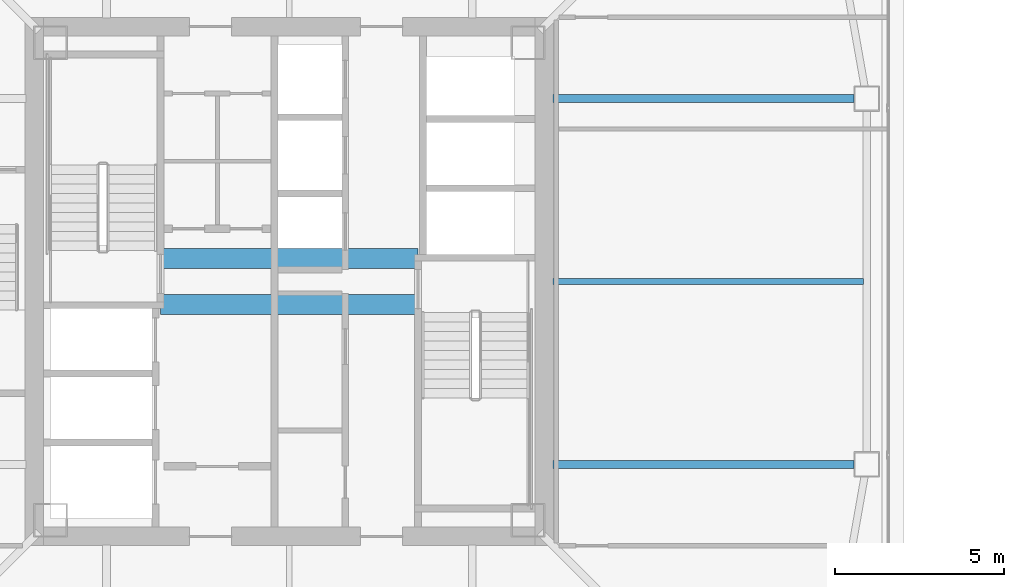
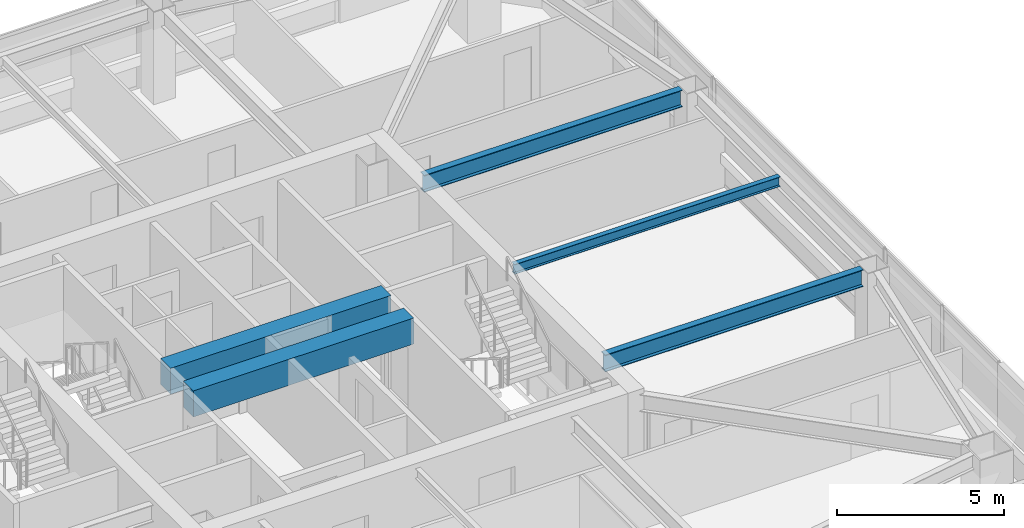
# One storey, part 9 of 43: 5 beams.
"""IFC4 building model written with IfcOpenShell, lengths in metres."""

from ifc_helpers import new_model, si_unit, direction, frame, origin, origin_2d, place, context, subcontext, project, spatial, rectangle, i_section, extrude, material, material_profile, profile_set, type_object, element, save


model = new_model("IFC4")

# Units and contexts
model_context = context("Model", 3, precision=1e-05, world=origin(), true_north=direction((0.0, 1.0)))
body_context = subcontext(model_context, "Body", "Model", "MODEL_VIEW")
ifc_project = project(units=[si_unit("LENGTHUNIT", "METRE"), si_unit("AREAUNIT", "SQUARE_METRE"), si_unit("VOLUMEUNIT", "CUBIC_METRE"), si_unit("PLANEANGLEUNIT", "RADIAN"), si_unit("MASSUNIT", "GRAM", prefix="KILO")], contexts=[model_context])

# Site, building, storey
site_placement = place(None, origin())
site = spatial("IfcSite", under=ifc_project, at=site_placement, CompositionType="ELEMENT")
building_placement = place(site_placement, origin())
building = spatial("IfcBuilding", under=site, at=building_placement, Name="Tashvorn Skyway Center", CompositionType="ELEMENT")
storey_placement = place(building_placement, frame((0.0, 0.0, 160.550048828125)))
storey = spatial("IfcBuildingStorey", under=building, at=storey_placement, Name="L43", CompositionType="ELEMENT", Elevation=160.550048828125)

# Beams
ifc_material_1 = material(Name="Steel ASTM A992 Grade 50", Category="steel")
ifc_material_profile_1 = material_profile(ifc_material_1, i_section(OverallWidth=0.22998046875, OverallDepth=0.616943359375, WebThickness=0.01318359375, FlangeThickness=0.022216796875, at=origin_2d()), Name="W24X94")
ifc_profile_set_1 = profile_set([ifc_material_profile_1], Name="Steel ASTM A992 Grade 50")
beam_type_1 = type_object("IfcBeamType", Name="BM-BEAM-W24X94", PredefinedType="BEAM", material=ifc_profile_set_1)
for number, where, z_axis, x_axis, name in (
    (1, (58.679931640625, 26.60009765625, 3.0615234375), (-1.0, 0.0, 0.0), (0.0, -1.0, 0.0), "Tower 1 L43 Primary Floor Girder FC-E1"),
    (2, (58.679931640625, 37.39990234375, 3.0615234375), (-1.0, 0.0, 0.0), (0.0, -1.0, 0.0), "Tower 1 L43 Primary Floor Girder FC-E2"),
):
    element("IfcBeam", number, at=place(storey_placement, frame(where, z_axis=z_axis, x_axis=x_axis)), inside=storey, type_object=beam_type_1, Name=name, PredefinedType="BEAM", context=body_context, shape_type="SweptSolid", body=[
        extrude(i_section(OverallWidth=0.22998046875, OverallDepth=0.616943359375, WebThickness=0.01318359375, FlangeThickness=0.022216796875, at=origin_2d()), origin(), (0.0, 0.0, 1.0), 8.89990234375),
    ])
ifc_material_profile_2 = material_profile(ifc_material_1, i_section(OverallWidth=0.1708984375, OverallDepth=0.35498046875, WebThickness=0.007080078125, FlangeThickness=0.01171875, at=origin_2d()), Name="W14X34")
ifc_profile_set_2 = profile_set([ifc_material_profile_2], Name="Steel ASTM A992 Grade 50")
beam_type_2 = type_object("IfcBeamType", Name="BM-JOIST-W14X34", PredefinedType="JOIST", material=ifc_profile_set_2)
beam_placement = place(storey_placement, frame((49.7900390625, 32.0, 3.1923828125), z_axis=(1.0, 0.0, 0.0), x_axis=(0.0, 1.0, 0.0)))
element("IfcBeam", 3, at=beam_placement, inside=storey, type_object=beam_type_2, Name="Tower 1 L43 Secondary Composite Joist JE", PredefinedType="JOIST", context=body_context, shape_type="SweptSolid", body=[
    extrude(i_section(OverallWidth=0.1708984375, OverallDepth=0.35498046875, WebThickness=0.007080078125, FlangeThickness=0.01171875, at=origin_2d()), origin(), (0.0, 0.0, 1.0), 9.162353515625),
])
ifc_material_2 = material(Name="Concrete C60/75", Category="concrete")
ifc_material_profile_3 = material_profile(ifc_material_2, rectangle(XDim=0.60009765625, YDim=0.949951171875, at=origin_2d()), Name="RCB600x950")
ifc_profile_set_3 = profile_set([ifc_material_profile_3], Name="Concrete C60/75")
beam_type_3 = type_object("IfcBeamType", Name="BM-LINTEL-RCB600x950", PredefinedType="LINTEL", material=ifc_profile_set_3)
for number, where, z_axis, x_axis, name in (
    (4, (38.199951171875, 32.679931640625, 2.89501953125), (1.0, 0.0, 0.0), (0.0, 1.0, 0.0), "Tower 1 L43 Core Coupling Beam CN"),
    (5, (38.199951171875, 31.320068359375, 2.89501953125), (1.0, 0.0, 0.0), (0.0, 1.0, 0.0), "Tower 1 L43 Core Coupling Beam CS"),
):
    element("IfcBeam", number, at=place(storey_placement, frame(where, z_axis=z_axis, x_axis=x_axis)), inside=storey, type_object=beam_type_3, Name=name, PredefinedType="LINTEL", context=body_context, shape_type="SweptSolid", body=[
        extrude(rectangle(XDim=0.60009765625, YDim=0.949951171875, at=origin_2d()), origin(), (0.0, 0.0, 1.0), 7.60009765625),
    ])

save(model, "model.ifc")
